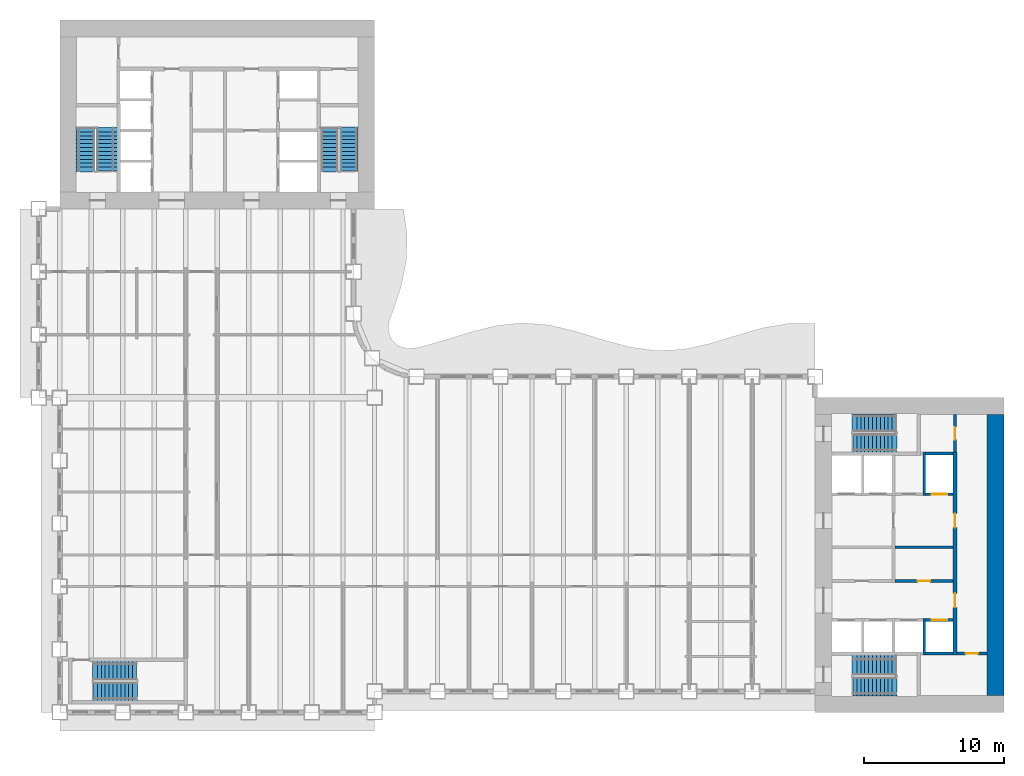
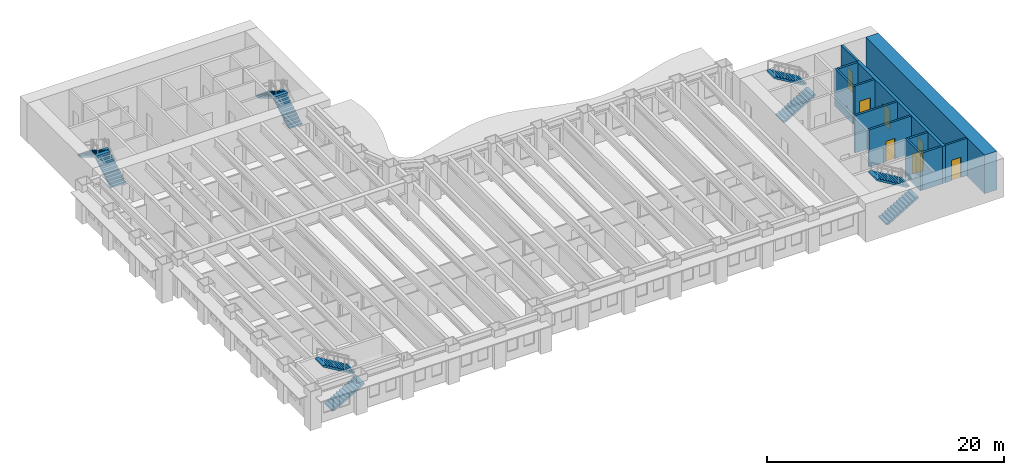
# One storey, part 9 of 15: 12 walls, 10 stair flights, 7 doors, 7 openings, 5 elements without a shape of their own.
"""IFC4 building model written with IfcOpenShell, lengths in metres."""

from ifc_helpers import new_model, si_unit, direction, frame, frame_2d, origin, place, context, subcontext, project, spatial, polyline, rectangle, outline, extrude, material, layer, layer_set, type_object, element, fill, aggregate, save


model = new_model("IFC4")

# Units and contexts
model_context = context("Model", 3, precision=1e-05, world=origin(), true_north=direction((0.0, 1.0)))
body_context = subcontext(model_context, "Body", "Model", "MODEL_VIEW")
ifc_project = project(units=[si_unit("LENGTHUNIT", "METRE"), si_unit("AREAUNIT", "SQUARE_METRE"), si_unit("VOLUMEUNIT", "CUBIC_METRE"), si_unit("PLANEANGLEUNIT", "RADIAN"), si_unit("MASSUNIT", "GRAM", prefix="KILO")], contexts=[model_context])

# Site, building, storey
site_placement = place(None, origin())
site = spatial("IfcSite", under=ifc_project, at=site_placement, CompositionType="ELEMENT")
building_placement = place(site_placement, origin())
building = spatial("IfcBuilding", under=site, at=building_placement, Name="Sennacour Bend Tower", CompositionType="ELEMENT")
storey_placement = place(building_placement, frame((0.0, 0.0, 33.0)))
storey = spatial("IfcBuildingStorey", under=building, at=storey_placement, Name="L06", CompositionType="ELEMENT", Elevation=33.0)

# Wall
ifc_material_1 = material(Name="Concrete C80/95", Category="concrete")
ifc_layer_1 = layer(ifc_material_1, 1.199951171875, Name="Concrete C80/95", Category="concrete")
ifc_layer_set_1 = layer_set([ifc_layer_1], Name="Concrete C80/95")
wall_type_1 = type_object("IfcWallType", Name="Core wall 1200 C80/95", PredefinedType="SHEAR", material=ifc_layer_set_1)
wall_1_placement = place(storey_placement, frame((66.89990234375, 1.199951171875, -0.14990234375), z_axis=(0.0, 0.0, 1.0), x_axis=(0.0, 1.0, 0.0)))
element("IfcWall", 1, at=wall_1_placement, inside=storey, type_object=wall_type_1, Name="Core A wall L06 E", PredefinedType="SHEAR", context=body_context, shape_type="SweptSolid", body=[
    extrude(rectangle(XDim=20.10009765625, YDim=1.199951171875, at=frame_2d((10.050048828125, 0.0))), origin(), (0.0, 0.0, 1.0), 4.0),
])

# Wall, opening, door
ifc_material_2 = material(Name="Fire-rated plasterboard partition on steel studs", Category="steel")
ifc_layer_2 = layer(ifc_material_2, 0.199951171875, Name="Fire-rated plasterboard partition on steel studs", Category="steel")
ifc_layer_set_2 = layer_set([ifc_layer_2], Name="Fire-rated plasterboard partition on steel studs")
wall_type_2 = type_object("IfcWallType", Name="Rated partition 200", PredefinedType="PARTITIONING", material=ifc_layer_set_2)
wall_2_placement = place(storey_placement, frame((64.0, 18.60009765625, 0.0), z_axis=(0.0, 0.0, 1.0), x_axis=(0.0, 1.0, 0.0)))
wall_2 = element("IfcWall", 2, at=wall_2_placement, inside=storey, type_object=wall_type_2, Name="P-L06-W046", PredefinedType="PARTITIONING", context=body_context, shape_type="SweptSolid", body=[
    extrude(rectangle(XDim=2.699951171875, YDim=0.199951171875, at=frame_2d((1.35009765625, 0.0))), origin(), (0.0, 0.0, 1.0), 3.85009765625),
])
opening_1_placement = place(wall_2_placement, frame((0.89990234375, 0.0, 0.0)))
opening_1 = element("IfcOpeningElement", 3, at=opening_1_placement, cuts=wall_2, Name="Opening SV", PredefinedType="OPENING", context=body_context, shape_type="SweptSolid", body=[
    extrude(rectangle(XDim=0.89990234375, YDim=2.10009765625, at=frame_2d((0.449951171875, 1.050048828125))), frame((0.0, 0.10986328125, 0.0), z_axis=(0.0, -1.0, 0.0), x_axis=(1.0, 0.0, 0.0)), (0.0, 0.0, 1.0), 0.219970703125),
])
ifc_material_3 = material(Name="Painted steel", Category="steel")
door_type_1 = type_object("IfcDoorType", Name="DR-SERVICE-900", OperationType="NOTDEFINED", PredefinedType="DOOR", material=ifc_material_3)
door_1_placement = place(opening_1_placement, origin())
door_1 = element("IfcDoor", 4, at=door_1_placement, inside=storey, type_object=door_type_1, Name="Door", OperationType="SINGLE_SWING_LEFT", OverallHeight=2.10009765625, OverallWidth=0.89990234375, PredefinedType="DOOR", context=body_context, shape_type="SweptSolid", body=[
    extrude(rectangle(XDim=0.89990234375, YDim=2.10009765625, at=frame_2d((0.449951171875, 1.050048828125))), frame((0.0, 0.02490234375, 0.0), z_axis=(0.0, -1.0, 0.0), x_axis=(1.0, 0.0, 0.0)), (0.0, 0.0, 1.0), 0.050048828125),
])
fill(opening_1, door_1)

wall_3_placement = place(storey_placement, frame((64.14990234375, 4.199951171875, 0.0), z_axis=(0.0, 0.0, 1.0), x_axis=(1.0, 0.0, 0.0)))
wall_3 = element("IfcWall", 5, at=wall_3_placement, inside=storey, type_object=wall_type_2, Name="P-L06-W055", PredefinedType="PARTITIONING", context=body_context, shape_type="SweptSolid", body=[
    extrude(rectangle(XDim=2.150146484375, YDim=0.199951171875, at=frame_2d((1.0751953125, 0.0))), origin(), (0.0, 0.0, 1.0), 3.85009765625),
])
opening_2_placement = place(wall_3_placement, frame((0.60009765625, 0.0, 0.0)))
opening_2 = element("IfcOpeningElement", 6, at=opening_2_placement, cuts=wall_3, Name="Opening SV", PredefinedType="OPENING", context=body_context, shape_type="SweptSolid", body=[
    extrude(rectangle(XDim=0.89990234375, YDim=2.10009765625, at=frame_2d((0.449951171875, 1.050048828125))), frame((0.0, 0.10986328125, 0.0), z_axis=(0.0, -1.0, 0.0), x_axis=(1.0, 0.0, 0.0)), (0.0, 0.0, 1.0), 0.219970703125),
])
door_2_placement = place(opening_2_placement, origin())
door_2 = element("IfcDoor", 7, at=door_2_placement, inside=storey, type_object=door_type_1, Name="Door", OperationType="SINGLE_SWING_LEFT", OverallHeight=2.10009765625, OverallWidth=0.89990234375, PredefinedType="DOOR", context=body_context, shape_type="SweptSolid", body=[
    extrude(rectangle(XDim=0.89990234375, YDim=2.10009765625, at=frame_2d((0.449951171875, 1.050048828125))), frame((0.0, 0.02490234375, 0.0), z_axis=(0.0, -1.0, 0.0), x_axis=(1.0, 0.0, 0.0)), (0.0, 0.0, 1.0), 0.050048828125),
])
fill(opening_2, door_2)

wall_4_placement = place(storey_placement, frame((59.699951171875, 9.39990234375, 0.0), z_axis=(0.0, 0.0, 1.0), x_axis=(1.0, 0.0, 0.0)))
wall_4 = element("IfcWall", 8, at=wall_4_placement, inside=storey, type_object=wall_type_2, Name="P-L06-W059b", PredefinedType="PARTITIONING", context=body_context, shape_type="SweptSolid", body=[
    extrude(rectangle(XDim=4.150146484375, YDim=0.199951171875, at=frame_2d((2.0751953125, 0.0))), origin(), (0.0, 0.0, 1.0), 3.85009765625),
])
opening_3_placement = place(wall_4_placement, frame((1.625, 0.0, 0.0)))
opening_3 = element("IfcOpeningElement", 9, at=opening_3_placement, cuts=wall_4, Name="Opening SV", PredefinedType="OPENING", context=body_context, shape_type="SweptSolid", body=[
    extrude(rectangle(XDim=0.89990234375, YDim=2.10009765625, at=frame_2d((0.449951171875, 1.050048828125))), frame((0.0, 0.10986328125, 0.0), z_axis=(0.0, -1.0, 0.0), x_axis=(1.0, 0.0, 0.0)), (0.0, 0.0, 1.0), 0.219970703125),
])
door_3_placement = place(opening_3_placement, origin())
door_3 = element("IfcDoor", 10, at=door_3_placement, inside=storey, type_object=door_type_1, Name="Door", OperationType="SINGLE_SWING_LEFT", OverallHeight=2.10009765625, OverallWidth=0.89990234375, PredefinedType="DOOR", context=body_context, shape_type="SweptSolid", body=[
    extrude(rectangle(XDim=0.89990234375, YDim=2.10009765625, at=frame_2d((0.449951171875, 1.050048828125))), frame((0.0, 0.02490234375, 0.0), z_axis=(0.0, -1.0, 0.0), x_axis=(1.0, 0.0, 0.0)), (0.0, 0.0, 1.0), 0.050048828125),
])
fill(opening_3, door_3)

# Walls
wall_5_placement = place(storey_placement, frame((59.699951171875, 11.800048828125, 0.0), z_axis=(0.0, 0.0, 1.0), x_axis=(1.0, 0.0, 0.0)))
element("IfcWall", 11, at=wall_5_placement, inside=storey, type_object=wall_type_2, Name="P-L06-W061b", PredefinedType="PARTITIONING", context=body_context, shape_type="SweptSolid", body=[
    extrude(rectangle(XDim=4.150146484375, YDim=0.199951171875, at=frame_2d((2.0751953125, 0.0))), origin(), (0.0, 0.0, 1.0), 3.85009765625),
])
ifc_material_4 = material(Name="Concrete C50/60", Category="concrete")
ifc_layer_3 = layer(ifc_material_4, 0.199951171875, Name="Concrete C50/60", Category="concrete")
ifc_layer_set_3 = layer_set([ifc_layer_3], Name="Concrete C50/60")
wall_type_3 = type_object("IfcWallType", Name="Shaft wall 200", PredefinedType="SOLIDWALL", material=ifc_layer_set_3)
wall_6_placement = place(storey_placement, frame((61.800048828125, 4.10009765625, 0.0), z_axis=(0.0, 0.0, 1.0), x_axis=(0.0, 1.0, 0.0)))
element("IfcWall", 12, at=wall_6_placement, inside=storey, type_object=wall_type_3, Name="P-L06-W043", PredefinedType="SOLIDWALL", context=body_context, shape_type="SweptSolid", body=[
    extrude(rectangle(XDim=2.599853515625, YDim=0.199951171875, at=frame_2d((1.2998046875, 0.0))), origin(), (0.0, 0.0, 1.0), 3.85009765625),
])
wall_7_placement = place(storey_placement, frame((61.800048828125, 15.5, 0.0), z_axis=(0.0, 0.0, 1.0), x_axis=(0.0, 1.0, 0.0)))
element("IfcWall", 13, at=wall_7_placement, inside=storey, type_object=wall_type_3, Name="P-L06-W044", PredefinedType="SOLIDWALL", context=body_context, shape_type="SweptSolid", body=[
    extrude(rectangle(XDim=3.10009765625, YDim=0.199951171875, at=frame_2d((1.550048828125, 0.0))), origin(), (0.0, 0.0, 1.0), 3.85009765625),
])
wall_8_placement = place(storey_placement, frame((61.89990234375, 4.199951171875, 0.0), z_axis=(0.0, 0.0, 1.0), x_axis=(1.0, 0.0, 0.0)))
element("IfcWall", 14, at=wall_8_placement, inside=storey, type_object=wall_type_3, Name="P-L06-W054b", PredefinedType="SOLIDWALL", context=body_context, shape_type="SweptSolid", body=[
    extrude(rectangle(XDim=1.9501953125, YDim=0.199951171875, at=frame_2d((0.97509765625, 0.0))), origin(), (0.0, 0.0, 1.0), 3.85009765625),
])

# Wall, opening, door
wall_9_placement = place(storey_placement, frame((61.89990234375, 6.60009765625, 0.0), z_axis=(0.0, 0.0, 1.0), x_axis=(1.0, 0.0, 0.0)))
wall_9 = element("IfcWall", 15, at=wall_9_placement, inside=storey, type_object=wall_type_3, Name="P-L06-W057d", PredefinedType="SOLIDWALL", context=body_context, shape_type="SweptSolid", body=[
    extrude(rectangle(XDim=1.9501953125, YDim=0.199951171875, at=frame_2d((0.97509765625, 0.0))), origin(), (0.0, 0.0, 1.0), 3.85009765625),
])
opening_4_placement = place(wall_9_placement, frame((0.425048828125, 0.0, 0.011962890625)))
opening_4 = element("IfcOpeningElement", 16, at=opening_4_placement, cuts=wall_9, Name="Opening LD", PredefinedType="OPENING", context=body_context, shape_type="SweptSolid", body=[
    extrude(rectangle(XDim=1.10009765625, YDim=2.10009765625, at=frame_2d((0.550048828125, 1.050048828125))), frame((0.0, 0.10986328125, 0.0), z_axis=(0.0, -1.0, 0.0), x_axis=(1.0, 0.0, 0.0)), (0.0, 0.0, 1.0), 0.219970703125),
])
ifc_material_5 = material(Name="Stainless steel", Category="steel")
door_type_2 = type_object("IfcDoorType", Name="DR-LANDING-1100", OperationType="NOTDEFINED", PredefinedType="DOOR", material=ifc_material_5)
door_4_placement = place(opening_4_placement, origin())
door_4 = element("IfcDoor", 17, at=door_4_placement, inside=storey, type_object=door_type_2, Name="Lift landing door LA4", OperationType="SLIDING_TO_RIGHT", OverallHeight=2.10009765625, OverallWidth=1.10009765625, PredefinedType="DOOR", context=body_context, shape_type="SweptSolid", body=[
    extrude(rectangle(XDim=1.10009765625, YDim=2.10009765625, at=frame_2d((0.550048828125, 1.050048828125))), frame((0.0, 0.02490234375, 0.0), z_axis=(0.0, -1.0, 0.0), x_axis=(1.0, 0.0, 0.0)), (0.0, 0.0, 1.0), 0.050048828125),
])
fill(opening_4, door_4)

wall_10_placement = place(storey_placement, frame((61.89990234375, 15.60009765625, 0.0), z_axis=(0.0, 0.0, 1.0), x_axis=(1.0, 0.0, 0.0)))
wall_10 = element("IfcWall", 18, at=wall_10_placement, inside=storey, type_object=wall_type_3, Name="P-L06-W064", PredefinedType="SOLIDWALL", context=body_context, shape_type="SweptSolid", body=[
    extrude(rectangle(XDim=1.9501953125, YDim=0.199951171875, at=frame_2d((0.97509765625, 0.0))), origin(), (0.0, 0.0, 1.0), 3.85009765625),
])
opening_5_placement = place(wall_10_placement, frame((0.425048828125, 0.0, 0.011962890625)))
opening_5 = element("IfcOpeningElement", 19, at=opening_5_placement, cuts=wall_10, Name="Opening LD", PredefinedType="OPENING", context=body_context, shape_type="SweptSolid", body=[
    extrude(rectangle(XDim=1.10009765625, YDim=2.10009765625, at=frame_2d((0.550048828125, 1.050048828125))), frame((0.0, 0.10986328125, 0.0), z_axis=(0.0, -1.0, 0.0), x_axis=(1.0, 0.0, 0.0)), (0.0, 0.0, 1.0), 0.219970703125),
])
door_5_placement = place(opening_5_placement, origin())
door_5 = element("IfcDoor", 20, at=door_5_placement, inside=storey, type_object=door_type_2, Name="Lift landing door LA5", OperationType="SLIDING_TO_LEFT", OverallHeight=2.10009765625, OverallWidth=1.10009765625, PredefinedType="DOOR", context=body_context, shape_type="SweptSolid", body=[
    extrude(rectangle(XDim=1.10009765625, YDim=2.10009765625, at=frame_2d((0.550048828125, 1.050048828125))), frame((0.0, 0.02490234375, 0.0), z_axis=(0.0, -1.0, 0.0), x_axis=(1.0, 0.0, 0.0)), (0.0, 0.0, 1.0), 0.050048828125),
])
fill(opening_5, door_5)

# Wall
wall_11_placement = place(storey_placement, frame((61.89990234375, 18.5, 0.0), z_axis=(0.0, 0.0, 1.0), x_axis=(1.0, 0.0, 0.0)))
element("IfcWall", 21, at=wall_11_placement, inside=storey, type_object=wall_type_3, Name="P-L06-W068", PredefinedType="SOLIDWALL", context=body_context, shape_type="SweptSolid", body=[
    extrude(rectangle(XDim=1.9501953125, YDim=0.199951171875, at=frame_2d((0.97509765625, 0.0))), origin(), (0.0, 0.0, 1.0), 3.85009765625),
])

# Wall, openings, doors
ifc_material_6 = material(Name="Concrete C60/75", Category="concrete")
ifc_layer_4 = layer(ifc_material_6, 0.300048828125, Name="Concrete C60/75", Category="concrete")
ifc_layer_set_4 = layer_set([ifc_layer_4], Name="Concrete C60/75")
wall_type_4 = type_object("IfcWallType", Name="Spine wall 300", PredefinedType="SHEAR", material=ifc_layer_set_4)
wall_12_placement = place(storey_placement, frame((64.0, 4.10009765625, 0.0), z_axis=(0.0, 0.0, 1.0), x_axis=(0.0, 1.0, 0.0)))
wall_12 = element("IfcWall", 22, at=wall_12_placement, inside=storey, type_object=wall_type_4, Name="P-L06-W045", PredefinedType="SHEAR", context=body_context, shape_type="SweptSolid", body=[
    extrude(rectangle(XDim=14.5, YDim=0.300048828125, at=frame_2d((7.25, 0.0))), origin(), (0.0, 0.0, 1.0), 3.85009765625),
])
opening_6_placement = place(wall_12_placement, frame((3.39990234375, 0.0, 0.0)))
opening_6 = element("IfcOpeningElement", 23, at=opening_6_placement, cuts=wall_12, Name="Opening CD2", PredefinedType="OPENING", context=body_context, shape_type="SweptSolid", body=[
    extrude(rectangle(XDim=1.0, YDim=2.10009765625, at=frame_2d((0.5, 1.050048828125))), frame((0.0, 0.16015625, 0.0), z_axis=(0.0, -1.0, 0.0), x_axis=(1.0, 0.0, 0.0)), (0.0, 0.0, 1.0), 0.320068359375),
])
opening_7_placement = place(wall_12_placement, frame((9.099853515625, 0.0, 0.0)))
opening_7 = element("IfcOpeningElement", 24, at=opening_7_placement, cuts=wall_12, Name="Opening CD2", PredefinedType="OPENING", context=body_context, shape_type="SweptSolid", body=[
    extrude(rectangle(XDim=1.0, YDim=2.10009765625, at=frame_2d((0.5, 1.050048828125))), frame((0.0, 0.16015625, 0.0), z_axis=(0.0, -1.0, 0.0), x_axis=(1.0, 0.0, 0.0)), (0.0, 0.0, 1.0), 0.320068359375),
])
door_type_3 = type_object("IfcDoorType", Name="DR-LOBBY-1000", OperationType="NOTDEFINED", PredefinedType="DOOR", material=ifc_material_3)
door_6_placement = place(opening_6_placement, origin())
door_6 = element("IfcDoor", 25, at=door_6_placement, inside=storey, type_object=door_type_3, Name="Door", OperationType="SINGLE_SWING_LEFT", OverallHeight=2.10009765625, OverallWidth=1.0, PredefinedType="DOOR", context=body_context, shape_type="SweptSolid", body=[
    extrude(rectangle(XDim=1.0, YDim=2.10009765625, at=frame_2d((0.5, 1.050048828125))), frame((0.0, 0.02490234375, 0.0), z_axis=(0.0, -1.0, 0.0), x_axis=(1.0, 0.0, 0.0)), (0.0, 0.0, 1.0), 0.050048828125),
])
fill(opening_6, door_6)
door_7_placement = place(opening_7_placement, origin())
door_7 = element("IfcDoor", 26, at=door_7_placement, inside=storey, type_object=door_type_3, Name="Door", OperationType="SINGLE_SWING_RIGHT", OverallHeight=2.10009765625, OverallWidth=1.0, PredefinedType="DOOR", context=body_context, shape_type="SweptSolid", body=[
    extrude(rectangle(XDim=1.0, YDim=2.10009765625, at=frame_2d((0.5, 1.050048828125))), frame((0.0, 0.02490234375, 0.0), z_axis=(0.0, -1.0, 0.0), x_axis=(1.0, 0.0, 0.0)), (0.0, 0.0, 1.0), 0.050048828125),
])
fill(opening_7, door_7)

# Stair, stair flights
ifc_material_7 = material(Name="Concrete C40/50", Category="concrete")
stair_type = type_object("IfcStairType", Name="ST-DOGLEG", PredefinedType="HALF_TURN_STAIR", material=ifc_material_7)
stair_1_placement = place(storey_placement, origin())
stair_1 = element("IfcStair", 27, at=stair_1_placement, inside=storey, type_object=stair_type, Name="L06 Exit stair A1", PredefinedType="HALF_TURN_STAIR")
stair_flight_type = type_object("IfcStairFlightType", Name="SFL-RC", PredefinedType="STRAIGHT", material=ifc_material_7)
stair_flight_1_placement = place(storey_placement, frame((56.699951171875, 1.8349609375, 0.0), z_axis=(0.0, 0.0, 1.0), x_axis=(1.0, 0.0, 0.0)))
stair_flight_1 = element("IfcStairFlight", 28, at=stair_flight_1_placement, type_object=stair_flight_type, Name="SA1 flight 1", NumberOfRisers=12, NumberOfTreads=11, PredefinedType="STRAIGHT", RiserHeight=0.166666667, TreadLength=0.28, context=body_context, shape_type="SweptSolid", body=[
    extrude(outline(polyline([(0.0, 0.0), (0.0, 0.166748046875), (0.280029296875, 0.166748046875), (0.280029296875, 0.333251953125), (0.56005859375, 0.333251953125), (0.56005859375, 0.5), (0.840087890625, 0.5), (0.840087890625, 0.666748046875), (1.1201171875, 0.666748046875), (1.1201171875, 0.833251953125), (1.39990234375, 0.833251953125), (1.39990234375, 1.0), (1.679931640625, 1.0), (1.679931640625, 1.166748046875), (1.9599609375, 1.166748046875), (1.9599609375, 1.333251953125), (2.239990234375, 1.333251953125), (2.239990234375, 1.5), (2.52001953125, 1.5), (2.52001953125, 1.666748046875), (2.800048828125, 1.666748046875), (2.800048828125, 1.833251953125), (3.080078125, 1.833251953125), (3.139892578125, 1.833251953125), (3.139892578125, 1.658935546875), (3.080078125, 1.658935546875), (0.29296875, 0.0), (0.0, 0.0)])), frame((0.0, 0.6650390625, 0.0), z_axis=(0.0, -1.0, 0.0), x_axis=(1.0, 0.0, 0.0)), (0.0, 0.0, 1.0), 1.330078125),
])
stair_flight_2_placement = place(storey_placement, frame((59.780029296875, 3.37744140625, 2.0), z_axis=(0.0, 0.0, 1.0), x_axis=(-1.0, 0.0, 0.0)))
stair_flight_2 = element("IfcStairFlight", 29, at=stair_flight_2_placement, type_object=stair_flight_type, Name="SA1 flight 2", NumberOfRisers=12, NumberOfTreads=11, PredefinedType="STRAIGHT", RiserHeight=0.166666667, TreadLength=0.28, context=body_context, shape_type="SweptSolid", body=[
    extrude(outline(polyline([(0.0, 0.0), (0.0, 0.166748046875), (0.280029296875, 0.166748046875), (0.280029296875, 0.333251953125), (0.56005859375, 0.333251953125), (0.56005859375, 0.5), (0.840087890625, 0.5), (0.840087890625, 0.666748046875), (1.1201171875, 0.666748046875), (1.1201171875, 0.833251953125), (1.39990234375, 0.833251953125), (1.39990234375, 1.0), (1.679931640625, 1.0), (1.679931640625, 1.166748046875), (1.9599609375, 1.166748046875), (1.9599609375, 1.333251953125), (2.239990234375, 1.333251953125), (2.239990234375, 1.5), (2.52001953125, 1.5), (2.52001953125, 1.666748046875), (2.800048828125, 1.666748046875), (2.800048828125, 1.833251953125), (3.080078125, 1.833251953125), (3.139892578125, 1.833251953125), (3.139892578125, 1.658935546875), (3.080078125, 1.658935546875), (0.29296875, 0.0), (0.0, 0.0)])), frame((0.0, 0.7275390625, 0.0), z_axis=(0.0, -1.0, 0.0), x_axis=(1.0, 0.0, 0.0)), (0.0, 0.0, 1.0), 1.455078125),
])
aggregate(stair_1, [stair_flight_1, stair_flight_2])

stair_2_placement = place(storey_placement, origin())
stair_2 = element("IfcStair", 30, at=stair_2_placement, inside=storey, type_object=stair_type, Name="L06 Exit stair A2", PredefinedType="HALF_TURN_STAIR")
stair_flight_3_placement = place(storey_placement, frame((56.699951171875, 19.24755859375, 0.0), z_axis=(0.0, 0.0, 1.0), x_axis=(1.0, 0.0, 0.0)))
stair_flight_3 = element("IfcStairFlight", 31, at=stair_flight_3_placement, type_object=stair_flight_type, Name="SA2 flight 1", NumberOfRisers=12, NumberOfTreads=11, PredefinedType="STRAIGHT", RiserHeight=0.166666667, TreadLength=0.28, context=body_context, shape_type="SweptSolid", body=[
    extrude(outline(polyline([(0.0, 0.0), (0.0, 0.166748046875), (0.280029296875, 0.166748046875), (0.280029296875, 0.333251953125), (0.56005859375, 0.333251953125), (0.56005859375, 0.5), (0.840087890625, 0.5), (0.840087890625, 0.666748046875), (1.1201171875, 0.666748046875), (1.1201171875, 0.833251953125), (1.39990234375, 0.833251953125), (1.39990234375, 1.0), (1.679931640625, 1.0), (1.679931640625, 1.166748046875), (1.9599609375, 1.166748046875), (1.9599609375, 1.333251953125), (2.239990234375, 1.333251953125), (2.239990234375, 1.5), (2.52001953125, 1.5), (2.52001953125, 1.666748046875), (2.800048828125, 1.666748046875), (2.800048828125, 1.833251953125), (3.080078125, 1.833251953125), (3.139892578125, 1.833251953125), (3.139892578125, 1.658935546875), (3.080078125, 1.658935546875), (0.29296875, 0.0), (0.0, 0.0)])), frame((0.0, 0.65234375, 0.0), z_axis=(0.0, -1.0, 0.0), x_axis=(1.0, 0.0, 0.0)), (0.0, 0.0, 1.0), 1.304931640625),
])
stair_flight_4_placement = place(storey_placement, frame((59.780029296875, 20.68994140625, 2.0), z_axis=(0.0, 0.0, 1.0), x_axis=(-1.0, 0.0, 0.0)))
stair_flight_4 = element("IfcStairFlight", 32, at=stair_flight_4_placement, type_object=stair_flight_type, Name="SA2 flight 2", NumberOfRisers=12, NumberOfTreads=11, PredefinedType="STRAIGHT", RiserHeight=0.166666667, TreadLength=0.28, context=body_context, shape_type="SweptSolid", body=[
    extrude(outline(polyline([(0.0, 0.0), (0.0, 0.166748046875), (0.280029296875, 0.166748046875), (0.280029296875, 0.333251953125), (0.56005859375, 0.333251953125), (0.56005859375, 0.5), (0.840087890625, 0.5), (0.840087890625, 0.666748046875), (1.1201171875, 0.666748046875), (1.1201171875, 0.833251953125), (1.39990234375, 0.833251953125), (1.39990234375, 1.0), (1.679931640625, 1.0), (1.679931640625, 1.166748046875), (1.9599609375, 1.166748046875), (1.9599609375, 1.333251953125), (2.239990234375, 1.333251953125), (2.239990234375, 1.5), (2.52001953125, 1.5), (2.52001953125, 1.666748046875), (2.800048828125, 1.666748046875), (2.800048828125, 1.833251953125), (3.080078125, 1.833251953125), (3.139892578125, 1.833251953125), (3.139892578125, 1.658935546875), (3.080078125, 1.658935546875), (0.29296875, 0.0), (0.0, 0.0)])), frame((0.0, 0.64013671875, 0.0), z_axis=(0.0, -1.0, 0.0), x_axis=(1.0, 0.0, 0.0)), (0.0, 0.0, 1.0), 1.280029296875),
])
aggregate(stair_2, [stair_flight_3, stair_flight_4])

stair_3_placement = place(storey_placement, origin())
stair_3 = element("IfcStair", 33, at=stair_3_placement, inside=storey, type_object=stair_type, Name="L06 Exit stair B1", PredefinedType="HALF_TURN_STAIR")
stair_flight_5_placement = place(storey_placement, frame((3.37744140625, 38.699951171875, 0.0), z_axis=(0.0, 0.0, 1.0), x_axis=(0.0, 1.0, 0.0)))
stair_flight_5 = element("IfcStairFlight", 34, at=stair_flight_5_placement, type_object=stair_flight_type, Name="SB1 flight 1", NumberOfRisers=12, NumberOfTreads=11, PredefinedType="STRAIGHT", RiserHeight=0.166666667, TreadLength=0.28, context=body_context, shape_type="SweptSolid", body=[
    extrude(outline(polyline([(0.0, 0.0), (0.0, 0.166748046875), (0.280029296875, 0.166748046875), (0.280029296875, 0.333251953125), (0.56005859375, 0.333251953125), (0.56005859375, 0.5), (0.840087890625, 0.5), (0.840087890625, 0.666748046875), (1.1201171875, 0.666748046875), (1.1201171875, 0.833251953125), (1.39990234375, 0.833251953125), (1.39990234375, 1.0), (1.679931640625, 1.0), (1.679931640625, 1.166748046875), (1.9599609375, 1.166748046875), (1.9599609375, 1.333251953125), (2.239990234375, 1.333251953125), (2.239990234375, 1.5), (2.52001953125, 1.5), (2.52001953125, 1.666748046875), (2.800048828125, 1.666748046875), (2.800048828125, 1.833251953125), (3.080078125, 1.833251953125), (3.139892578125, 1.833251953125), (3.139892578125, 1.658935546875), (3.080078125, 1.658935546875), (0.29296875, 0.0), (0.0, 0.0)])), frame((0.0, 0.7275390625, 0.0), z_axis=(0.0, -1.0, 0.0), x_axis=(1.0, 0.0, 0.0)), (0.0, 0.0, 1.0), 1.455078125),
])
stair_flight_6_placement = place(storey_placement, frame((1.8349609375, 41.780029296875, 2.0), z_axis=(0.0, 0.0, 1.0), x_axis=(0.0, -1.0, 0.0)))
stair_flight_6 = element("IfcStairFlight", 35, at=stair_flight_6_placement, type_object=stair_flight_type, Name="SB1 flight 2", NumberOfRisers=12, NumberOfTreads=11, PredefinedType="STRAIGHT", RiserHeight=0.166666667, TreadLength=0.28, context=body_context, shape_type="SweptSolid", body=[
    extrude(outline(polyline([(0.0, 0.0), (0.0, 0.166748046875), (0.280029296875, 0.166748046875), (0.280029296875, 0.333251953125), (0.56005859375, 0.333251953125), (0.56005859375, 0.5), (0.840087890625, 0.5), (0.840087890625, 0.666748046875), (1.1201171875, 0.666748046875), (1.1201171875, 0.833251953125), (1.39990234375, 0.833251953125), (1.39990234375, 1.0), (1.679931640625, 1.0), (1.679931640625, 1.166748046875), (1.9599609375, 1.166748046875), (1.9599609375, 1.333251953125), (2.239990234375, 1.333251953125), (2.239990234375, 1.5), (2.52001953125, 1.5), (2.52001953125, 1.666748046875), (2.800048828125, 1.666748046875), (2.800048828125, 1.833251953125), (3.080078125, 1.833251953125), (3.139892578125, 1.833251953125), (3.139892578125, 1.658935546875), (3.080078125, 1.658935546875), (0.29296875, 0.0), (0.0, 0.0)])), frame((0.0, 0.6650390625, 0.0), z_axis=(0.0, -1.0, 0.0), x_axis=(1.0, 0.0, 0.0)), (0.0, 0.0, 1.0), 1.330078125),
])
aggregate(stair_3, [stair_flight_5, stair_flight_6])

stair_4_placement = place(storey_placement, origin())
stair_4 = element("IfcStair", 36, at=stair_4_placement, inside=storey, type_object=stair_type, Name="L06 Exit stair B2", PredefinedType="HALF_TURN_STAIR")
stair_flight_7_placement = place(storey_placement, frame((20.68994140625, 38.699951171875, 0.0), z_axis=(0.0, 0.0, 1.0), x_axis=(0.0, 1.0, 0.0)))
stair_flight_7 = element("IfcStairFlight", 37, at=stair_flight_7_placement, type_object=stair_flight_type, Name="SB2 flight 1", NumberOfRisers=12, NumberOfTreads=11, PredefinedType="STRAIGHT", RiserHeight=0.166666667, TreadLength=0.28, context=body_context, shape_type="SweptSolid", body=[
    extrude(outline(polyline([(0.0, 0.0), (0.0, 0.166748046875), (0.280029296875, 0.166748046875), (0.280029296875, 0.333251953125), (0.56005859375, 0.333251953125), (0.56005859375, 0.5), (0.840087890625, 0.5), (0.840087890625, 0.666748046875), (1.1201171875, 0.666748046875), (1.1201171875, 0.833251953125), (1.39990234375, 0.833251953125), (1.39990234375, 1.0), (1.679931640625, 1.0), (1.679931640625, 1.166748046875), (1.9599609375, 1.166748046875), (1.9599609375, 1.333251953125), (2.239990234375, 1.333251953125), (2.239990234375, 1.5), (2.52001953125, 1.5), (2.52001953125, 1.666748046875), (2.800048828125, 1.666748046875), (2.800048828125, 1.833251953125), (3.080078125, 1.833251953125), (3.139892578125, 1.833251953125), (3.139892578125, 1.658935546875), (3.080078125, 1.658935546875), (0.29296875, 0.0), (0.0, 0.0)])), frame((0.0, 0.64013671875, 0.0), z_axis=(0.0, -1.0, 0.0), x_axis=(1.0, 0.0, 0.0)), (0.0, 0.0, 1.0), 1.280029296875),
])
stair_flight_8_placement = place(storey_placement, frame((19.24755859375, 41.780029296875, 2.0), z_axis=(0.0, 0.0, 1.0), x_axis=(0.0, -1.0, 0.0)))
stair_flight_8 = element("IfcStairFlight", 38, at=stair_flight_8_placement, type_object=stair_flight_type, Name="SB2 flight 2", NumberOfRisers=12, NumberOfTreads=11, PredefinedType="STRAIGHT", RiserHeight=0.166666667, TreadLength=0.28, context=body_context, shape_type="SweptSolid", body=[
    extrude(outline(polyline([(0.0, 0.0), (0.0, 0.166748046875), (0.280029296875, 0.166748046875), (0.280029296875, 0.333251953125), (0.56005859375, 0.333251953125), (0.56005859375, 0.5), (0.840087890625, 0.5), (0.840087890625, 0.666748046875), (1.1201171875, 0.666748046875), (1.1201171875, 0.833251953125), (1.39990234375, 0.833251953125), (1.39990234375, 1.0), (1.679931640625, 1.0), (1.679931640625, 1.166748046875), (1.9599609375, 1.166748046875), (1.9599609375, 1.333251953125), (2.239990234375, 1.333251953125), (2.239990234375, 1.5), (2.52001953125, 1.5), (2.52001953125, 1.666748046875), (2.800048828125, 1.666748046875), (2.800048828125, 1.833251953125), (3.080078125, 1.833251953125), (3.139892578125, 1.833251953125), (3.139892578125, 1.658935546875), (3.080078125, 1.658935546875), (0.29296875, 0.0), (0.0, 0.0)])), frame((0.0, 0.65234375, 0.0), z_axis=(0.0, -1.0, 0.0), x_axis=(1.0, 0.0, 0.0)), (0.0, 0.0, 1.0), 1.304931640625),
])
aggregate(stair_4, [stair_flight_7, stair_flight_8])

stair_5_placement = place(storey_placement, origin())
stair_5 = element("IfcStair", 39, at=stair_5_placement, inside=storey, type_object=stair_type, Name="L06 Exit stair K1", PredefinedType="HALF_TURN_STAIR")
stair_flight_9_placement = place(storey_placement, frame((2.39990234375, 1.485107421875, 0.0), z_axis=(0.0, 0.0, 1.0), x_axis=(1.0, 0.0, 0.0)))
stair_flight_9 = element("IfcStairFlight", 40, at=stair_flight_9_placement, type_object=stair_flight_type, Name="SK1 flight 1", NumberOfRisers=12, NumberOfTreads=11, PredefinedType="STRAIGHT", RiserHeight=0.166666667, TreadLength=0.28, context=body_context, shape_type="SweptSolid", body=[
    extrude(outline(polyline([(0.0, 0.0), (0.0, 0.166748046875), (0.280029296875, 0.166748046875), (0.280029296875, 0.333251953125), (0.56005859375, 0.333251953125), (0.56005859375, 0.5), (0.840087890625, 0.5), (0.840087890625, 0.666748046875), (1.1201171875, 0.666748046875), (1.1201171875, 0.833251953125), (1.39990234375, 0.833251953125), (1.39990234375, 1.0), (1.679931640625, 1.0), (1.679931640625, 1.166748046875), (1.9599609375, 1.166748046875), (1.9599609375, 1.333251953125), (2.239990234375, 1.333251953125), (2.239990234375, 1.5), (2.52001953125, 1.5), (2.52001953125, 1.666748046875), (2.800048828125, 1.666748046875), (2.800048828125, 1.833251953125), (3.080078125, 1.833251953125), (3.139892578125, 1.833251953125), (3.139892578125, 1.658935546875), (3.080078125, 1.658935546875), (0.29296875, 0.0), (0.0, 0.0)])), frame((0.0, 0.6650390625, 0.0), z_axis=(0.0, -1.0, 0.0), x_axis=(1.0, 0.0, 0.0)), (0.0, 0.0, 1.0), 1.330078125),
])
stair_flight_10_placement = place(storey_placement, frame((5.47998046875, 2.9775390625, 2.0), z_axis=(0.0, 0.0, 1.0), x_axis=(-1.0, 0.0, 0.0)))
stair_flight_10 = element("IfcStairFlight", 41, at=stair_flight_10_placement, type_object=stair_flight_type, Name="SK1 flight 2", NumberOfRisers=12, NumberOfTreads=11, PredefinedType="STRAIGHT", RiserHeight=0.166666667, TreadLength=0.28, context=body_context, shape_type="SweptSolid", body=[
    extrude(outline(polyline([(0.0, 0.0), (0.0, 0.166748046875), (0.280029296875, 0.166748046875), (0.280029296875, 0.333251953125), (0.56005859375, 0.333251953125), (0.56005859375, 0.5), (0.840087890625, 0.5), (0.840087890625, 0.666748046875), (1.1201171875, 0.666748046875), (1.1201171875, 0.833251953125), (1.39990234375, 0.833251953125), (1.39990234375, 1.0), (1.679931640625, 1.0), (1.679931640625, 1.166748046875), (1.9599609375, 1.166748046875), (1.9599609375, 1.333251953125), (2.239990234375, 1.333251953125), (2.239990234375, 1.5), (2.52001953125, 1.5), (2.52001953125, 1.666748046875), (2.800048828125, 1.666748046875), (2.800048828125, 1.833251953125), (3.080078125, 1.833251953125), (3.139892578125, 1.833251953125), (3.139892578125, 1.658935546875), (3.080078125, 1.658935546875), (0.29296875, 0.0), (0.0, 0.0)])), frame((0.0, 0.677490234375, 0.0), z_axis=(0.0, -1.0, 0.0), x_axis=(1.0, 0.0, 0.0)), (0.0, 0.0, 1.0), 1.35498046875),
])
aggregate(stair_5, [stair_flight_9, stair_flight_10])

save(model, "model.ifc")
